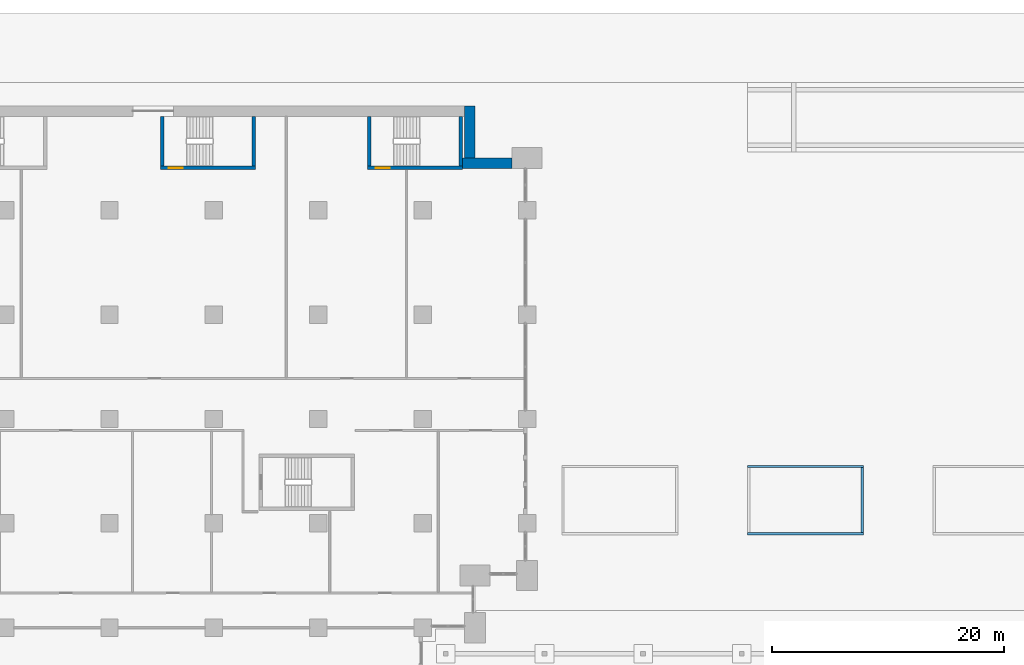
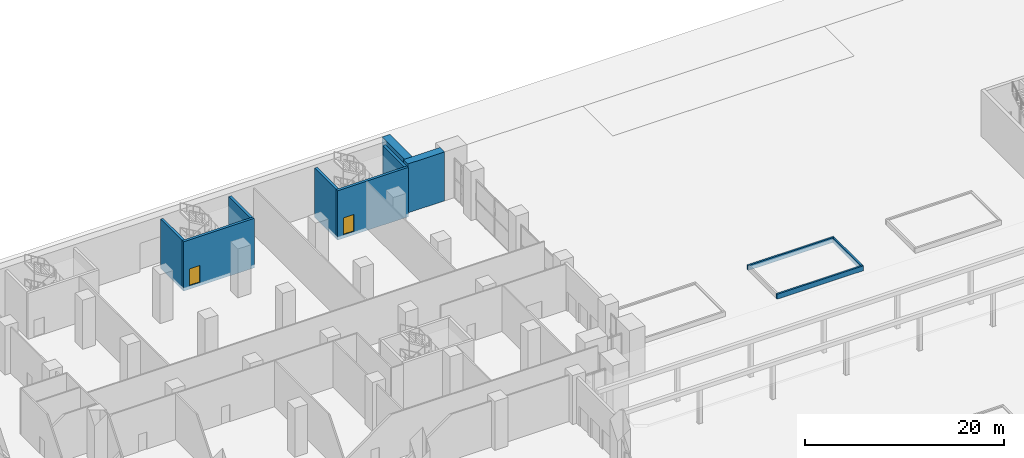
# One storey, part 23 of 47: 11 walls, 2 doors, 2 openings.
"""IFC4 building model written with IfcOpenShell, lengths in metres."""

from ifc_helpers import new_model, si_unit, direction, frame, frame_2d, origin, place, context, subcontext, project, spatial, rectangle, extrude, material, layer, layer_set, type_object, element, fill, save


model = new_model("IFC4")

# Units and contexts
model_context = context("Model", 3, precision=1e-05, world=origin(), true_north=direction((0.0, 1.0)))
body_context = subcontext(model_context, "Body", "Model", "MODEL_VIEW")
ifc_project = project(units=[si_unit("LENGTHUNIT", "METRE"), si_unit("AREAUNIT", "SQUARE_METRE"), si_unit("VOLUMEUNIT", "CUBIC_METRE"), si_unit("PLANEANGLEUNIT", "RADIAN"), si_unit("MASSUNIT", "GRAM", prefix="KILO")], contexts=[model_context])

# Site, building, storey
site_placement = place(None, origin())
site = spatial("IfcSite", under=ifc_project, at=site_placement, CompositionType="ELEMENT")
building_placement = place(site_placement, origin())
building = spatial("IfcBuilding", under=site, at=building_placement, Name="Hunhe Ridgeline Campus", CompositionType="ELEMENT")
storey_placement = place(building_placement, origin())
storey = spatial("IfcBuildingStorey", under=building, at=storey_placement, Name="L00", CompositionType="ELEMENT", Elevation=0.0)

# Walls
ifc_material_1 = material(Name="Concrete C30", Category="concrete")
ifc_layer_1 = layer(ifc_material_1, 0.199951171875)
ifc_layer_set_1 = layer_set([ifc_layer_1], Name="Planter kerb wall 200 C30")
wall_type_1 = type_object("IfcWallType", Name="Planter kerb wall 200 C30", PredefinedType="SOLIDWALL", material=ifc_layer_set_1)
wall_1_placement = place(storey_placement, frame((118.0, 62.10009765625, 0.0), z_axis=(0.0, 0.0, 1.0), x_axis=(1.0, 0.0, 0.0)))
element("IfcWall", 1, at=wall_1_placement, inside=storey, type_object=wall_type_1, Name="Garden planter 5 kerb", PredefinedType="SOLIDWALL", context=body_context, shape_type="SweptSolid", body=[
    extrude(rectangle(XDim=10.0, YDim=0.199951171875, at=frame_2d((5.0, 0.0))), origin(), (0.0, 0.0, 1.0), 0.60009765625),
])
wall_2_placement = place(storey_placement, frame((127.89990234375, 62.199951171875, 0.0), z_axis=(0.0, 0.0, 1.0), x_axis=(0.0, 1.0, 0.0)))
element("IfcWall", 2, at=wall_2_placement, inside=storey, type_object=wall_type_1, Name="Garden planter 5 kerb", PredefinedType="SOLIDWALL", context=body_context, shape_type="SweptSolid", body=[
    extrude(rectangle(XDim=5.60009765625, YDim=0.199951171875, at=frame_2d((2.800048828125, 0.0))), origin(), (0.0, 0.0, 1.0), 0.60009765625),
])
wall_3_placement = place(storey_placement, frame((128.0, 67.89990234375, 0.0), z_axis=(0.0, 0.0, 1.0), x_axis=(-1.0, 0.0, 0.0)))
element("IfcWall", 3, at=wall_3_placement, inside=storey, type_object=wall_type_1, Name="Garden planter 5 kerb", PredefinedType="SOLIDWALL", context=body_context, shape_type="SweptSolid", body=[
    extrude(rectangle(XDim=10.0, YDim=0.199951171875, at=frame_2d((5.0, 0.0))), origin(), (0.0, 0.0, 1.0), 0.60009765625),
])
ifc_material_2 = material(Name="Concrete C80", Category="concrete")
ifc_layer_2 = layer(ifc_material_2, 0.89990234375)
ifc_layer_set_2 = layer_set([ifc_layer_2], Name="Spine wall 900 Concrete C80")
wall_type_2 = type_object("IfcWallType", Name="Spine wall 900 Concrete C80", PredefinedType="SHEAR", material=ifc_layer_set_2)
wall_4_placement = place(storey_placement, frame((97.699951171875, 94.050048828125, 0.0), z_axis=(0.0, 0.0, 1.0), x_axis=(-1.0, 0.0, 0.0)))
element("IfcWall", 4, at=wall_4_placement, inside=storey, type_object=wall_type_2, Name="Spine wall SW1-2 L00", PredefinedType="SHEAR", context=body_context, shape_type="SweptSolid", body=[
    extrude(rectangle(XDim=4.25048828125, YDim=0.89990234375, at=frame_2d((2.125244140625, 0.0))), origin(), (0.0, 0.0, 1.0), 6.0),
])
wall_5_placement = place(storey_placement, frame((94.050048828125, 93.60009765625, 0.0), z_axis=(0.0, 0.0, 1.0), x_axis=(0.0, 1.0, 0.0)))
element("IfcWall", 5, at=wall_5_placement, inside=storey, type_object=wall_type_2, Name="Spine wall SW1-3 L00", PredefinedType="SHEAR", context=body_context, shape_type="SweptSolid", body=[
    extrude(rectangle(XDim=5.39990234375, YDim=0.89990234375, at=frame_2d((2.699951171875, 0.0))), origin(), (0.0, 0.0, 1.0), 6.0),
])

# Wall, opening, door
ifc_layer_3 = layer(ifc_material_2, 0.300048828125)
ifc_layer_set_3 = layer_set([ifc_layer_3], Name="Stair wall 300 reinforced concrete C80")
wall_type_3 = type_object("IfcWallType", Name="Stair wall 300 reinforced concrete C80", PredefinedType="SOLIDWALL", material=ifc_layer_set_3)
wall_6_placement = place(storey_placement, frame((67.39990234375, 93.64990234375, -0.39990234375), z_axis=(0.0, 0.0, 1.0), x_axis=(1.0, 0.0, 0.0)))
wall_6 = element("IfcWall", 6, at=wall_6_placement, inside=storey, type_object=wall_type_3, Name="L00 core wall 34", PredefinedType="SOLIDWALL", context=body_context, shape_type="SweptSolid", body=[
    extrude(rectangle(XDim=8.2001953125, YDim=0.300048828125, at=frame_2d((4.10009765625, 0.0))), origin(), (0.0, 0.0, 1.0), 6.0498046875),
])
opening_1_placement = place(wall_6_placement, frame((0.699951171875, 0.0, 0.39990234375)))
opening_1 = element("IfcOpeningElement", 7, at=opening_1_placement, cuts=wall_6, Name="Opening CD19", PredefinedType="OPENING", context=body_context, shape_type="SweptSolid", body=[
    extrude(rectangle(XDim=1.199951171875, YDim=2.10009765625, at=frame_2d((0.60009765625, 1.050048828125))), frame((0.0, 0.14990234375, 0.0), z_axis=(0.0, -1.0, 0.0), x_axis=(1.0, 0.0, 0.0)), (0.0, 0.0, 1.0), 0.300048828125),
])
ifc_material_3 = material(Name="Hollow metal fire door leaf")
door_type = type_object("IfcDoorType", Name="Stair door 1200x2100 FD60", OperationType="SINGLE_SWING_LEFT", PredefinedType="DOOR", material=ifc_material_3)
door_1_placement = place(opening_1_placement, frame((1.199951171875, 0.0, 0.0), z_axis=(0.0, 0.0, 1.0), x_axis=(-1.0, 0.0, 0.0)))
door_1 = element("IfcDoor", 8, at=door_1_placement, inside=storey, type_object=door_type, Name="L00 door E3", OperationType="SINGLE_SWING_RIGHT", OverallHeight=2.10009765625, OverallWidth=1.199951171875, PredefinedType="DOOR", context=body_context, shape_type="SweptSolid", body=[
    extrude(rectangle(XDim=1.199951171875, YDim=2.10009765625, at=frame_2d((0.60009765625, 1.050048828125))), frame((0.0, 0.02490234375, 0.0), z_axis=(0.0, -1.0, 0.0), x_axis=(1.0, 0.0, 0.0)), (0.0, 0.0, 1.0), 0.050048828125),
])
fill(opening_1, door_1)

wall_7_placement = place(storey_placement, frame((85.25, 93.64990234375, -0.39990234375), z_axis=(0.0, 0.0, 1.0), x_axis=(1.0, 0.0, 0.0)))
wall_7 = element("IfcWall", 9, at=wall_7_placement, inside=storey, type_object=wall_type_3, Name="L00 core wall 35", PredefinedType="SOLIDWALL", context=body_context, shape_type="SweptSolid", body=[
    extrude(rectangle(XDim=8.199951171875, YDim=0.300048828125, at=frame_2d((4.10009765625, 0.0))), origin(), (0.0, 0.0, 1.0), 6.0498046875),
])
opening_2_placement = place(wall_7_placement, frame((0.699951171875, 0.0, 0.39990234375)))
opening_2 = element("IfcOpeningElement", 10, at=opening_2_placement, cuts=wall_7, Name="Opening CD20", PredefinedType="OPENING", context=body_context, shape_type="SweptSolid", body=[
    extrude(rectangle(XDim=1.199951171875, YDim=2.10009765625, at=frame_2d((0.60009765625, 1.050048828125))), frame((0.0, 0.14990234375, 0.0), z_axis=(0.0, -1.0, 0.0), x_axis=(1.0, 0.0, 0.0)), (0.0, 0.0, 1.0), 0.300048828125),
])
door_2_placement = place(opening_2_placement, frame((1.199951171875, 0.0, 0.0), z_axis=(0.0, 0.0, 1.0), x_axis=(-1.0, 0.0, 0.0)))
door_2 = element("IfcDoor", 11, at=door_2_placement, inside=storey, type_object=door_type, Name="L00 door E4", OperationType="SINGLE_SWING_LEFT", OverallHeight=2.10009765625, OverallWidth=1.199951171875, PredefinedType="DOOR", context=body_context, shape_type="SweptSolid", body=[
    extrude(rectangle(XDim=1.199951171875, YDim=2.10009765625, at=frame_2d((0.60009765625, 1.050048828125))), frame((0.0, 0.02490234375, 0.0), z_axis=(0.0, -1.0, 0.0), x_axis=(1.0, 0.0, 0.0)), (0.0, 0.0, 1.0), 0.050048828125),
])
fill(opening_2, door_2)

# Walls
for number, where, z_axis, x_axis, name in (
    (12, (67.550048828125, 93.800048828125, -0.39990234375), (0.0, 0.0, 1.0), (0.0, 1.0, 0.0), "L00 core wall 69"),
    (13, (75.449951171875, 93.800048828125, -0.39990234375), (0.0, 0.0, 1.0), (0.0, 1.0, 0.0), "L00 core wall 70"),
    (14, (85.39990234375, 93.800048828125, -0.39990234375), (0.0, 0.0, 1.0), (0.0, 1.0, 0.0), "L00 core wall 73"),
    (15, (93.300048828125, 93.800048828125, -0.39990234375), (0.0, 0.0, 1.0), (0.0, 1.0, 0.0), "L00 core wall 74"),
):
    element("IfcWall", number, at=place(storey_placement, frame(where, z_axis=z_axis, x_axis=x_axis)), inside=storey, type_object=wall_type_3, Name=name, PredefinedType="SOLIDWALL", context=body_context, shape_type="SweptSolid", body=[
        extrude(rectangle(XDim=4.300048828125, YDim=0.300048828125, at=frame_2d((2.14990234375, 0.0))), origin(), (0.0, 0.0, 1.0), 6.0498046875),
    ])

save(model, "model.ifc")
